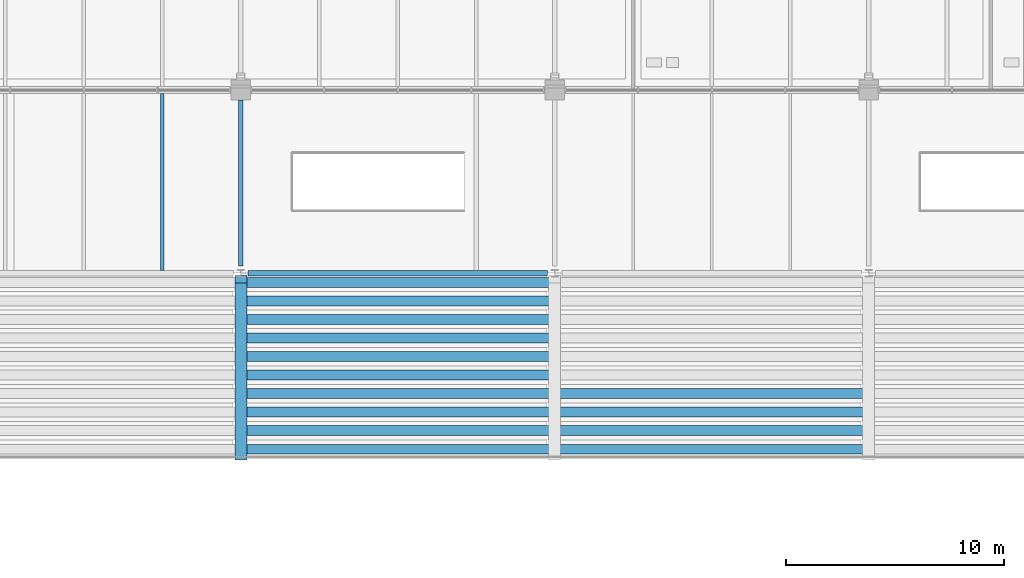
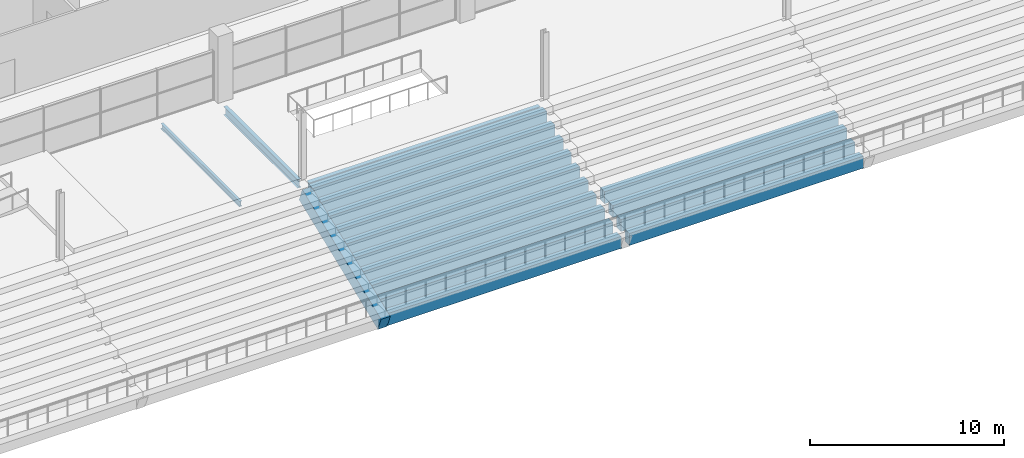
# One storey, part 63 of 161: 18 beams.
"""IFC4 building model written with IfcOpenShell, lengths in metres."""

import ifcopenshell
import ifcopenshell.guid

model = None  # the IFC model being written
_history = None  # IfcOwnerHistory: only IFC2X3 demands one
_inside = {}  # id of a spatial element -> (the spatial element, [elements in it])
_under = {}  # id of a project, library or spatial element -> (it, [spatial elements below it])
_declared = {}  # id of a project -> (the project, [libraries it declares])
_typed = {}  # id of a type object -> (the type object, [elements of that type])
_made_of = {}  # id of a material, layer set ... -> (it, [elements and type objects made of it])


def new_model(schema):
    """Start an empty IFC model of exactly this schema.

    Asked for "IFC4X3", IfcOpenShell would pick the latest addendum, in which some entities
    have other attributes; the version numbers below select the first issue.
    IFC2X3 requires an IfcOwnerHistory on every rooted entity: one is made here for all.
    """
    global model, _history
    if schema == "IFC4X3":
        model = ifcopenshell.file(schema_version=(4, 3, 0, 0))
    else:
        model = ifcopenshell.file(schema=schema)
    _inside.clear()
    _under.clear()
    _declared.clear()
    _typed.clear()
    _made_of.clear()
    _history = None
    if model.schema == "IFC2X3":
        org = make("IfcOrganization", Name="unknown")
        user = make(
            "IfcPersonAndOrganization",
            ThePerson=make("IfcPerson", FamilyName="unknown"),
            TheOrganization=org,
        )
        app = make(
            "IfcApplication",
            ApplicationDeveloper=org,
            Version="unknown",
            ApplicationFullName="unknown",
            ApplicationIdentifier="unknown",
        )
        _history = make(
            "IfcOwnerHistory",
            OwningUser=user,
            OwningApplication=app,
            ChangeAction="ADDED",
            CreationDate=0,
        )
    return model


def make(cls, **values):
    """One entity of the class cls with the attributes given. An attribute that is None is left unset."""
    return model.create_entity(
        cls, **{name: value for name, value in values.items() if value is not None}
    )


def rooted(cls, **values):
    """An entity with a GlobalId (a new one), such as an element, a storey or a relation."""
    return make(cls, GlobalId=ifcopenshell.guid.new(), OwnerHistory=_history, **values)


def si_unit(unit_type, name, prefix=None):
    """IfcSIUnit, for example si_unit("LENGTHUNIT", "METRE", prefix="MILLI")."""
    return make("IfcSIUnit", UnitType=unit_type, Prefix=prefix, Name=name)


def assignment(units):
    """IfcUnitAssignment: the units of a project."""
    return None if units is None else make("IfcUnitAssignment", Units=units)


def point(xyz):
    """IfcCartesianPoint."""
    return None if xyz is None else make("IfcCartesianPoint", Coordinates=xyz)


def direction(xyz):
    """IfcDirection."""
    return None if xyz is None else make("IfcDirection", DirectionRatios=xyz)


def frame(location, z_axis=None, x_axis=None):
    """IfcAxis2Placement3D, a coordinate frame: its origin and axes. An axis left out is left unset."""
    return make(
        "IfcAxis2Placement3D",
        Location=point(location),
        Axis=direction(z_axis),
        RefDirection=direction(x_axis),
    )


def frame_2d(location, x_axis=None):
    """IfcAxis2Placement2D, a coordinate frame in the plane: its origin and x axis."""
    return make(
        "IfcAxis2Placement2D", Location=point(location), RefDirection=direction(x_axis)
    )


def origin():
    """The frame at (0, 0, 0) with its axes left unset."""
    return frame((0.0, 0.0, 0.0))


def origin_2d():
    """The frame at (0, 0) in the plane with its x axis left unset."""
    return frame_2d((0.0, 0.0))


def place(relative_to, where):
    """IfcLocalPlacement: puts the frame where relative to a parent placement (None: the world)."""
    return make(
        "IfcLocalPlacement", PlacementRelTo=relative_to, RelativePlacement=where
    )


def context(
    kind, dimensions, precision=None, world=None, true_north=None, identifier=None
):
    """IfcGeometricRepresentationContext, for example the 3D "Model" context."""
    return make(
        "IfcGeometricRepresentationContext",
        ContextIdentifier=identifier,
        ContextType=kind,
        CoordinateSpaceDimension=dimensions,
        Precision=precision,
        WorldCoordinateSystem=world,
        TrueNorth=true_north,
    )


def subcontext(parent, identifier, kind, view, scale=None):
    """IfcGeometricRepresentationSubContext, for example "Body" below "Model"."""
    return make(
        "IfcGeometricRepresentationSubContext",
        ContextIdentifier=identifier,
        ContextType=kind,
        ParentContext=parent,
        TargetScale=scale,
        TargetView=view,
    )


def project(units=None, contexts=None):
    """IfcProject with its units and contexts."""
    return rooted(
        "IfcProject",
        Name="project",
        RepresentationContexts=contexts,
        UnitsInContext=assignment(units),
    )


def spatial(cls, under=None, at=None, **own):
    """A site, building, storey or space (cls), placed at a placement, below another one or the project."""
    s = rooted(cls, ObjectPlacement=at, **own)
    if under is not None:
        _under.setdefault(under.id(), (under, []))[1].append(s)
    return s


def profile(cls, at=None, kind="AREA", **sizes):
    """A parametric profile (cls). Its sizes go by their IFC names, for example OverallWidth=200.0."""
    return make(cls, ProfileType=kind, Position=at, **sizes)


def rectangle(**sizes):
    """IfcRectangleProfileDef."""
    return profile("IfcRectangleProfileDef", **sizes)


def i_section(**sizes):
    """IfcIShapeProfileDef."""
    return profile("IfcIShapeProfileDef", **sizes)


def extrude(swept, where, along, depth):
    """IfcExtrudedAreaSolid: the profile swept, set in the frame where, extruded along a direction by depth."""
    return make(
        "IfcExtrudedAreaSolid",
        SweptArea=swept,
        Position=where,
        ExtrudedDirection=direction(along),
        Depth=depth,
    )


def shape(context_of_items, identifier, shape_type, items):
    """IfcShapeRepresentation: the items that make up one representation, for example the "Body"."""
    return make(
        "IfcShapeRepresentation",
        ContextOfItems=context_of_items,
        RepresentationIdentifier=identifier,
        RepresentationType=shape_type,
        Items=items,
    )


def material(Name=None, Category=None):
    """IfcMaterial."""
    return make("IfcMaterial", Name=Name, Category=Category)


def material_profile(
    of_material, cross_section, Name=None, Category=None, Priority=None
):
    """IfcMaterialProfile: a cross section and its material."""
    return make(
        "IfcMaterialProfile",
        Name=Name,
        Material=of_material,
        Profile=cross_section,
        Priority=Priority,
        Category=Category,
    )


def profile_set(profiles, Name=None, composite=None):
    """IfcMaterialProfileSet."""
    return make(
        "IfcMaterialProfileSet",
        Name=Name,
        MaterialProfiles=profiles,
        CompositeProfile=composite,
    )


def made_of(thing, what):
    """Note that an element or type object is made of a material, layer set ...; save() writes the relation."""
    if what is not None:
        _made_of.setdefault(what.id(), (what, []))[1].append(thing)
    return thing


def type_object(cls, material=None, **own):
    """A type object (cls), such as IfcWallType, which elements share."""
    return made_of(rooted(cls, **own), material)


def element(
    cls,
    number,
    at=None,
    inside=None,
    cuts=None,
    type_object=None,
    material=None,
    context=None,
    identifier="Body",
    shape_type=None,
    held_by="IfcProductDefinitionShape",
    body=None,
    shapes=None,
    **own,
):
    """One element of the class cls, such as IfcWall. Its Tag is "e" and its number.

    at: its placement. inside: the storey or other place that contains it. cuts: it is an
    opening in that element (IfcRelVoidsElement). A single representation is given by context,
    identifier, shape_type and body (its items); several are given by shapes. held_by: the class
    of the entity that holds the representations. save() writes the other relations.
    """
    e = rooted(cls, Tag="e%d" % number, ObjectPlacement=at, **own)
    if body is not None:
        shapes = [shape(context, identifier, shape_type, body)]
    if shapes is not None:
        e.Representation = make(held_by, Representations=shapes)
    if inside is not None:
        _inside.setdefault(inside.id(), (inside, []))[1].append(e)
    if cuts is not None:
        rooted(
            "IfcRelVoidsElement", RelatingBuildingElement=cuts, RelatedOpeningElement=e
        )
    if type_object is not None:
        _typed.setdefault(type_object.id(), (type_object, []))[1].append(e)
    return made_of(e, material)


def aggregate(whole, parts):
    """IfcRelAggregates: a whole, such as a stair, and the parts it consists of."""
    return rooted("IfcRelAggregates", RelatingObject=whole, RelatedObjects=parts)


def save(model, path):
    """Write the relations noted so far, then the file.

    IfcRelAggregates (storeys below a building ...), IfcRelContainedInSpatialStructure (elements
    in a storey), IfcRelDefinesByType, IfcRelAssociatesMaterial and IfcRelDeclares: one each for
    every whole, place, type object, material and project.
    """
    for whole, parts in _under.values():
        aggregate(whole, parts)
    for where, things in _inside.values():
        rooted(
            "IfcRelContainedInSpatialStructure",
            RelatedElements=things,
            RelatingStructure=where,
        )
    for kind, things in _typed.values():
        rooted("IfcRelDefinesByType", RelatedObjects=things, RelatingType=kind)
    for what, things in _made_of.values():
        rooted("IfcRelAssociatesMaterial", RelatedObjects=things, RelatingMaterial=what)
    for by, libraries in _declared.values():
        rooted("IfcRelDeclares", RelatingContext=by, RelatedDefinitions=libraries)
    model.write(path)


model = new_model("IFC4")

# Units and contexts
model_context = context("Model", 3, precision=1e-05, world=origin(), true_north=direction((0.0, 1.0)))
body_context = subcontext(model_context, "Body", "Model", "MODEL_VIEW")
ifc_project = project(units=[si_unit("LENGTHUNIT", "METRE"), si_unit("AREAUNIT", "SQUARE_METRE"), si_unit("VOLUMEUNIT", "CUBIC_METRE"), si_unit("PLANEANGLEUNIT", "RADIAN"), si_unit("MASSUNIT", "GRAM", prefix="KILO"), si_unit("THERMODYNAMICTEMPERATUREUNIT", "KELVIN")], contexts=[model_context])

# Site, building, storey
site_placement = place(None, origin())
site = spatial("IfcSite", under=ifc_project, at=site_placement, CompositionType="ELEMENT")
building_placement = place(site_placement, origin())
building = spatial("IfcBuilding", under=site, at=building_placement, Name="Nduvali Passage Aquatics Centre", CompositionType="ELEMENT")
storey_placement = place(building_placement, frame((0.0, 0.0, 4.800048828125)))
storey = spatial("IfcBuildingStorey", under=building, at=storey_placement, Name="L01", CompositionType="ELEMENT", Elevation=4.800048828125)

# Beams
ifc_material_1 = material(Name="Concrete C40/50", Category="concrete")
ifc_material_profile_1 = material_profile(ifc_material_1, rectangle(XDim=0.449951171875, YDim=0.75, at=origin_2d()), Name="RC 450x750")
ifc_profile_set_1 = profile_set([ifc_material_profile_1], Name="Concrete C40/50")
beam_type_1 = type_object("IfcBeamType", Name="STR-BM-RC4575", PredefinedType="BEAM", material=ifc_profile_set_1)
beam_1_placement = place(storey_placement, frame((68.639892578125, 75.925048828125, -3.97509765625), z_axis=(1.0, 0.0, 0.0), x_axis=(0.0, 1.0, 0.0)))
element("IfcBeam", 1, at=beam_1_placement, inside=storey, type_object=beam_type_1, Name="L01 North Stand Tier Bearer Row 01 B3-1571", PredefinedType="BEAM", context=body_context, shape_type="SweptSolid", body=[
    extrude(rectangle(XDim=0.449951171875, YDim=0.75, at=origin_2d()), origin(), (0.0, 0.0, 1.0), 13.920166015625),
])
beam_2_placement = place(storey_placement, frame((83.0400390625, 75.925048828125, -3.97509765625), z_axis=(1.0, 0.0, 0.0), x_axis=(0.0, 1.0, 0.0)))
element("IfcBeam", 2, at=beam_2_placement, inside=storey, type_object=beam_type_1, Name="L01 North Stand Tier Bearer Row 01 B3-1572", PredefinedType="BEAM", context=body_context, shape_type="SweptSolid", body=[
    extrude(rectangle(XDim=0.449951171875, YDim=0.75, at=origin_2d()), origin(), (0.0, 0.0, 1.0), 13.919921875),
])
beam_3_placement = place(storey_placement, frame((68.639892578125, 76.77490234375, -3.614990234375), z_axis=(1.0, 0.0, 0.0), x_axis=(0.0, 1.0, 0.0)))
element("IfcBeam", 3, at=beam_3_placement, inside=storey, type_object=beam_type_1, Name="L01 North Stand Tier Bearer Row 02 B3-1576", PredefinedType="BEAM", context=body_context, shape_type="SweptSolid", body=[
    extrude(rectangle(XDim=0.449951171875, YDim=0.75, at=origin_2d()), origin(), (0.0, 0.0, 1.0), 13.920166015625),
])
beam_4_placement = place(storey_placement, frame((83.0400390625, 76.77490234375, -3.614990234375), z_axis=(1.0, 0.0, 0.0), x_axis=(0.0, 1.0, 0.0)))
element("IfcBeam", 4, at=beam_4_placement, inside=storey, type_object=beam_type_1, Name="L01 North Stand Tier Bearer Row 02 B3-1577", PredefinedType="BEAM", context=body_context, shape_type="SweptSolid", body=[
    extrude(rectangle(XDim=0.449951171875, YDim=0.75, at=origin_2d()), origin(), (0.0, 0.0, 1.0), 13.919921875),
])
beam_5_placement = place(storey_placement, frame((68.639892578125, 77.625, -3.255126953125), z_axis=(1.0, 0.0, 0.0), x_axis=(0.0, 1.0, 0.0)))
element("IfcBeam", 5, at=beam_5_placement, inside=storey, type_object=beam_type_1, Name="L01 North Stand Tier Bearer Row 03 B3-1581", PredefinedType="BEAM", context=body_context, shape_type="SweptSolid", body=[
    extrude(rectangle(XDim=0.449951171875, YDim=0.75, at=origin_2d()), origin(), (0.0, 0.0, 1.0), 13.920166015625),
])
beam_6_placement = place(storey_placement, frame((83.0400390625, 77.625, -3.255126953125), z_axis=(1.0, 0.0, 0.0), x_axis=(0.0, 1.0, 0.0)))
element("IfcBeam", 6, at=beam_6_placement, inside=storey, type_object=beam_type_1, Name="L01 North Stand Tier Bearer Row 03 B3-1582", PredefinedType="BEAM", context=body_context, shape_type="SweptSolid", body=[
    extrude(rectangle(XDim=0.449951171875, YDim=0.75, at=origin_2d()), origin(), (0.0, 0.0, 1.0), 13.919921875),
])
beam_7_placement = place(storey_placement, frame((68.639892578125, 78.47509765625, -2.89501953125), z_axis=(1.0, 0.0, 0.0), x_axis=(0.0, 1.0, 0.0)))
element("IfcBeam", 7, at=beam_7_placement, inside=storey, type_object=beam_type_1, Name="L01 North Stand Tier Bearer Row 04 B3-1586", PredefinedType="BEAM", context=body_context, shape_type="SweptSolid", body=[
    extrude(rectangle(XDim=0.449951171875, YDim=0.75, at=origin_2d()), origin(), (0.0, 0.0, 1.0), 13.920166015625),
])
beam_8_placement = place(storey_placement, frame((83.0400390625, 78.47509765625, -2.89501953125), z_axis=(1.0, 0.0, 0.0), x_axis=(0.0, 1.0, 0.0)))
element("IfcBeam", 8, at=beam_8_placement, inside=storey, type_object=beam_type_1, Name="L01 North Stand Tier Bearer Row 04 B3-1587", PredefinedType="BEAM", context=body_context, shape_type="SweptSolid", body=[
    extrude(rectangle(XDim=0.449951171875, YDim=0.75, at=origin_2d()), origin(), (0.0, 0.0, 1.0), 13.919921875),
])
for number, where, z_axis, x_axis, name in (
    (9, (68.639892578125, 79.324951171875, -2.53515625), (1.0, 0.0, 0.0), (0.0, 1.0, 0.0), "L01 North Stand Tier Bearer Row 05 B3-1591"),
    (10, (68.639892578125, 80.175048828125, -2.175048828125), (1.0, 0.0, 0.0), (0.0, 1.0, 0.0), "L01 North Stand Tier Bearer Row 06 B3-1596"),
    (11, (68.639892578125, 81.02490234375, -1.81494140625), (1.0, 0.0, 0.0), (0.0, 1.0, 0.0), "L01 North Stand Tier Bearer Row 07 B3-1601"),
    (12, (68.639892578125, 81.875, -1.455078125), (1.0, 0.0, 0.0), (0.0, 1.0, 0.0), "L01 North Stand Tier Bearer Row 08 B3-1606"),
    (13, (68.639892578125, 82.72509765625, -1.094970703125), (1.0, 0.0, 0.0), (0.0, 1.0, 0.0), "L01 North Stand Tier Bearer Row 09 B3-1611"),
    (14, (68.639892578125, 83.574951171875, -0.735107421875), (1.0, 0.0, 0.0), (0.0, 1.0, 0.0), "L01 North Stand Tier Bearer Row 10 B3-1616"),
):
    element("IfcBeam", number, at=place(storey_placement, frame(where, z_axis=z_axis, x_axis=x_axis)), inside=storey, type_object=beam_type_1, Name=name, PredefinedType="BEAM", context=body_context, shape_type="SweptSolid", body=[
        extrude(rectangle(XDim=0.449951171875, YDim=0.75, at=origin_2d()), origin(), (0.0, 0.0, 1.0), 13.920166015625),
    ])
ifc_material_2 = material(Name="Steel S355", Category="steel")
ifc_material_profile_2 = material_profile(ifc_material_2, i_section(OverallWidth=0.210693359375, OverallDepth=0.53955078125, WebThickness=0.01171875, FlangeThickness=0.018798828125, FilletRadius=0.0126953125, at=origin_2d()), Name="UKB 533x210x109")
ifc_profile_set_2 = profile_set([ifc_material_profile_2], Name="Steel S355")
beam_type_2 = type_object("IfcBeamType", Name="STR-BM-UKB533", PredefinedType="BEAM", material=ifc_profile_set_2)
beam_9_placement = place(storey_placement, frame((68.39990234375, 84.324951171875, -0.553955078125), z_axis=(0.0, 1.0, 0.0), x_axis=(-1.0, 0.0, 0.0)))
element("IfcBeam", 15, at=beam_9_placement, inside=storey, type_object=beam_type_2, Name="L01 Primary Y-Girder B6-0596", PredefinedType="BEAM", context=body_context, shape_type="SweptSolid", body=[
    extrude(i_section(OverallWidth=0.210693359375, OverallDepth=0.53955078125, WebThickness=0.01171875, FlangeThickness=0.018798828125, FilletRadius=0.0126953125, at=origin_2d()), origin(), (0.0, 0.0, 1.0), 7.625),
])
ifc_material_profile_3 = material_profile(ifc_material_2, i_section(OverallWidth=0.253662109375, OverallDepth=0.68359375, WebThickness=0.012451171875, FlangeThickness=0.01904296875, FilletRadius=0.01513671875, at=origin_2d()), Name="UKB 686x254x140")
ifc_profile_set_3 = profile_set([ifc_material_profile_3], Name="Steel S355")
beam_type_3 = type_object("IfcBeamType", Name="STR-BM-UKB686", PredefinedType="BEAM", material=ifc_profile_set_3)
beam_10_placement = place(storey_placement, frame((68.72509765625, 84.0, -0.705810546875), z_axis=(1.0, 0.0, 0.0), x_axis=(0.0, 1.0, 0.0)))
element("IfcBeam", 16, at=beam_10_placement, inside=storey, type_object=beam_type_3, Name="L01 Primary X-Girder B4-0514", PredefinedType="BEAM", context=body_context, shape_type="SweptSolid", body=[
    extrude(i_section(OverallWidth=0.253662109375, OverallDepth=0.68359375, WebThickness=0.012451171875, FlangeThickness=0.01904296875, FilletRadius=0.01513671875, at=origin_2d()), origin(), (0.0, 0.0, 1.0), 13.75),
])
ifc_material_profile_4 = material_profile(ifc_material_2, i_section(OverallWidth=0.159912109375, OverallDepth=0.330078125, WebThickness=0.007568359375, FlangeThickness=0.011474609375, FilletRadius=0.01806640625, at=origin_2d()), Name="IPE 330")
ifc_profile_set_4 = profile_set([ifc_material_profile_4], Name="Steel S355")
beam_type_4 = type_object("IfcBeamType", Name="STR-JST-IPE330", PredefinedType="JOIST", material=ifc_profile_set_4)
beam_11_placement = place(storey_placement, frame((64.800048828125, 84.126708984375, -0.448974609375), z_axis=(0.0, 1.0, 0.0), x_axis=(-1.0, 0.0, 0.0)))
element("IfcBeam", 17, at=beam_11_placement, inside=storey, type_object=beam_type_4, Name="L01 Secondary Joist J6A-0801", PredefinedType="JOIST", context=body_context, shape_type="SweptSolid", body=[
    extrude(i_section(OverallWidth=0.159912109375, OverallDepth=0.330078125, WebThickness=0.007568359375, FlangeThickness=0.011474609375, FilletRadius=0.01806640625, at=origin_2d()), origin(), (0.0, 0.0, 1.0), 8.121337890625),
])
ifc_material_profile_5 = material_profile(ifc_material_1, rectangle(XDim=0.550048828125, YDim=0.89990234375, at=origin_2d()), Name="RC 550x900")
ifc_profile_set_5 = profile_set([ifc_material_profile_5], Name="Concrete C40/50")
beam_type_5 = type_object("IfcBeamType", Name="STR-RAK-RC5085", PredefinedType="USERDEFINED", material=ifc_profile_set_5)
beam_12_placement = place(storey_placement, frame((68.39990234375, 83.719970703125, -0.78515625), z_axis=(0.0, -0.928790285766, -0.370605727244), x_axis=(1.0, 0.0, 0.0)))
element("IfcBeam", 18, at=beam_12_placement, inside=storey, type_object=beam_type_5, Name="L01 North Stand Raker Beam RK1-1565", ObjectType="RAKER", PredefinedType="USERDEFINED", context=body_context, shape_type="SweptSolid", body=[
    extrude(rectangle(XDim=0.550048828125, YDim=0.89990234375, at=origin_2d()), origin(), (0.0, 0.0, 1.0), 8.742431640625),
])

save(model, "model.ifc")
